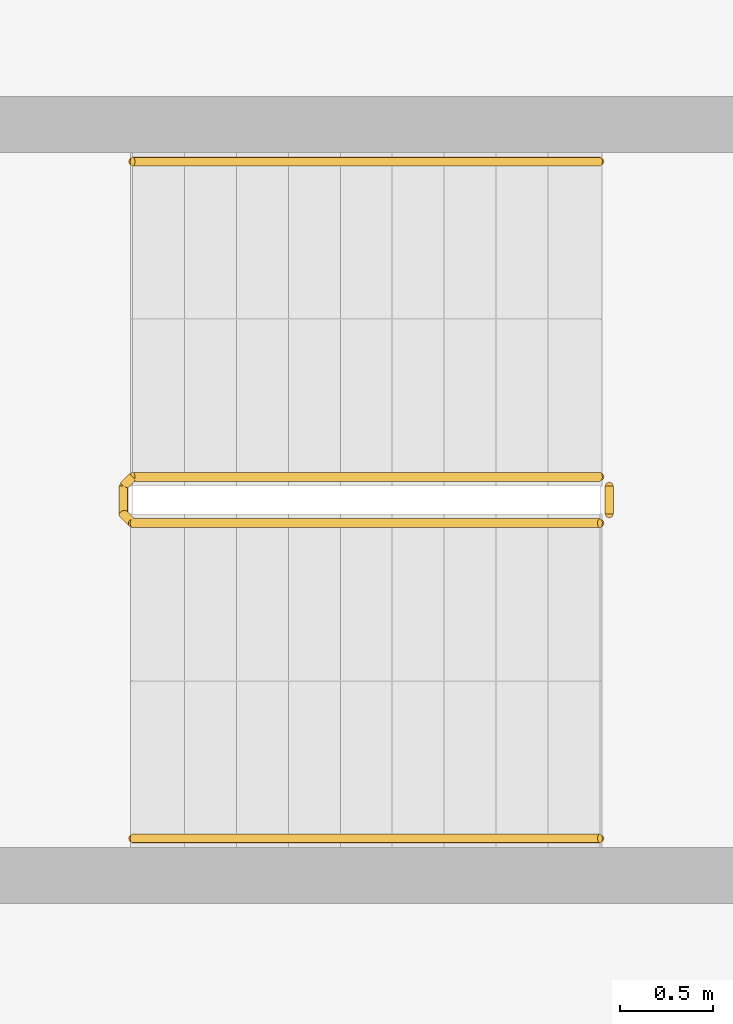
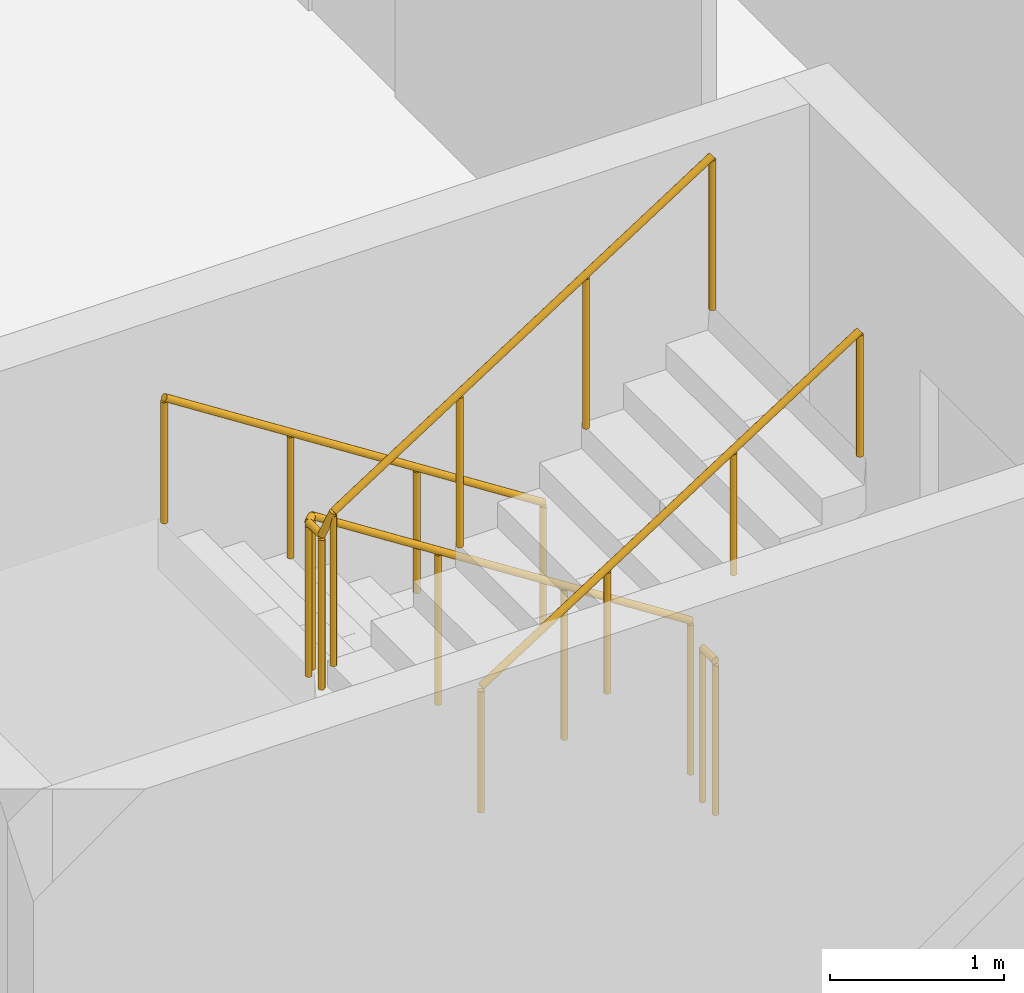
# One storey, part 24 of 27: 4 railings.
"""IFC4 building model written with IfcOpenShell, lengths in metres."""

from ifc_helpers import new_model, si_unit, direction, frame, origin, origin_2d, place, context, subcontext, project, spatial, circle, extrude, material, type_object, element, save


model = new_model("IFC4")

# Units and contexts
model_context = context("Model", 3, precision=1e-05, world=origin(), true_north=direction((0.0, 1.0)))
body_context = subcontext(model_context, "Body", "Model", "MODEL_VIEW")
ifc_project = project(units=[si_unit("LENGTHUNIT", "METRE"), si_unit("AREAUNIT", "SQUARE_METRE"), si_unit("VOLUMEUNIT", "CUBIC_METRE"), si_unit("PLANEANGLEUNIT", "RADIAN"), si_unit("MASSUNIT", "GRAM", prefix="KILO")], contexts=[model_context])

# Site, building, storey
site_placement = place(None, origin())
site = spatial("IfcSite", under=ifc_project, at=site_placement, CompositionType="ELEMENT")
building_placement = place(site_placement, origin())
building = spatial("IfcBuilding", under=site, at=building_placement, Name="Wharfspan Tower", CompositionType="ELEMENT")
storey_placement = place(building_placement, frame((0.0, 0.0, 55.899902)))
storey = spatial("IfcBuildingStorey", under=building, at=storey_placement, Name="L10", CompositionType="ELEMENT", Elevation=55.899902)

# Railings
ifc_material = material(Name="Steel S355J2", Category="steel")
railing_type_1 = type_object("IfcRailingType", Name="Stair guard 1100", PredefinedType="GUARDRAIL", material=ifc_material)
railing_1_placement = place(storey_placement, frame((6.899902, 22.625, 0.180176)))
element("IfcRailing", 1, at=railing_1_placement, inside=storey, type_object=railing_type_1, Name="L10 ST3 stair guard 1", PredefinedType="GUARDRAIL", context=body_context, shape_type="SweptSolid", body=[
    extrude(circle(Radius=0.023926, at=origin_2d()), frame((0.0, 0.0, 1.076172), z_axis=(-0.8412, 0.0, 0.540725), x_axis=(0.0, -1.0, 0.0)), (0.0, 0.0, 1.0), 2.99585),
    extrude(circle(Radius=0.023926, at=origin_2d()), frame((-2.52002, 0.0, 2.695801), z_axis=(-0.705376, -0.708834, 0.0), x_axis=(0.708834, -0.705376, 0.0)), (0.0, 0.0, 1.0), 0.070557),
    extrude(circle(Radius=0.023926, at=origin_2d()), frame((-2.569824, -0.050049, 2.695801), z_axis=(0.0, -1.0, 0.0), x_axis=(1.0, 0.0, 0.0)), (0.0, 0.0, 1.0), 0.149902),
    extrude(circle(Radius=0.023926, at=origin_2d()), frame((-2.569824, -0.199951, 2.695801), z_axis=(0.257669, -0.258932, 0.930892), x_axis=(0.708833, 0.705372, -1e-06)), (0.0, 0.0, 1.0), 0.193359),
    extrude(circle(Radius=0.023926, at=origin_2d()), frame((-2.52002, -0.25, 2.875977), z_axis=(0.841163, 0.0, 0.540782), x_axis=(0.0, 1.0, 0.0)), (0.0, 0.0, 1.0), 2.99585),
    extrude(circle(Radius=0.020996, at=origin_2d()), origin(), (0.0, 0.0, 1.0), 1.052002),
    extrude(circle(Radius=0.020996, at=origin_2d()), frame((-0.840088, 0.0, 0.540039)), (0.0, 0.0, 1.0), 1.052002),
    extrude(circle(Radius=0.020996, at=origin_2d()), frame((-1.679932, 0.0, 1.079834)), (0.0, 0.0, 1.0), 1.052002),
    extrude(circle(Radius=0.020996, at=origin_2d()), frame((-2.52002, 0.0, 1.619873)), (0.0, 0.0, 1.0), 1.052002),
    extrude(circle(Radius=0.020996, at=origin_2d()), frame((-2.569824, -0.050049, 1.619873)), (0.0, 0.0, 1.0), 1.052002),
    extrude(circle(Radius=0.020996, at=origin_2d()), frame((-2.569824, -0.199951, 1.619873)), (0.0, 0.0, 1.0), 1.052002),
    extrude(circle(Radius=0.020996, at=origin_2d()), frame((-2.52002, -0.25, 1.799805)), (0.0, 0.0, 1.0), 1.052002),
    extrude(circle(Radius=0.020996, at=origin_2d()), frame((-1.679932, -0.25, 2.339844)), (0.0, 0.0, 1.0), 1.052002),
    extrude(circle(Radius=0.020996, at=origin_2d()), frame((-0.840088, -0.25, 2.879883)), (0.0, 0.0, 1.0), 1.052002),
    extrude(circle(Radius=0.020996, at=origin_2d()), frame((0.0, -0.25, 3.419922)), (0.0, 0.0, 1.0), 1.052002),
])
railing_2_placement = place(storey_placement, frame((6.949951, 22.574951, 0.0)))
element("IfcRailing", 2, at=railing_2_placement, inside=storey, type_object=railing_type_1, Name="L10 ST3 stair guard 2", PredefinedType="GUARDRAIL", context=body_context, shape_type="SweptSolid", body=[
    extrude(circle(Radius=0.023926, at=origin_2d()), frame((0.0, 0.0, 1.076172), z_axis=(0.0, -1.0, 0.0), x_axis=(1.0, 0.0, 0.0)), (0.0, 0.0, 1.0), 0.149902),
    extrude(circle(Radius=0.020996, at=origin_2d()), origin(), (0.0, 0.0, 1.0), 1.052002),
    extrude(circle(Radius=0.020996, at=origin_2d()), frame((0.0, -0.149902, 0.0)), (0.0, 0.0, 1.0), 1.052002),
])
railing_type_2 = type_object("IfcRailingType", Name="Stair handrail 900", PredefinedType="HANDRAIL", material=ifc_material)
railing_3_placement = place(storey_placement, frame((6.899902, 24.324951, 0.180176)))
element("IfcRailing", 3, at=railing_3_placement, inside=storey, type_object=railing_type_2, Name="L10 ST3 stair handrail 1", PredefinedType="HANDRAIL", context=body_context, shape_type="SweptSolid", body=[
    extrude(circle(Radius=0.023926, at=origin_2d()), frame((0.0, 0.0, 0.875977), z_axis=(-0.8412, 0.0, 0.540725), x_axis=(0.0, -1.0, 0.0)), (0.0, 0.0, 1.0), 2.99585),
    extrude(circle(Radius=0.020996, at=origin_2d()), origin(), (0.0, 0.0, 1.0), 0.851807),
    extrude(circle(Radius=0.020996, at=origin_2d()), frame((-0.840088, 0.0, 0.540039)), (0.0, 0.0, 1.0), 0.851807),
    extrude(circle(Radius=0.020996, at=origin_2d()), frame((-1.679932, 0.0, 1.079834)), (0.0, 0.0, 1.0), 0.851807),
    extrude(circle(Radius=0.020996, at=origin_2d()), frame((-2.52002, 0.0, 1.619873)), (0.0, 0.0, 1.0), 0.851807),
])
railing_4_placement = place(storey_placement, frame((4.379883, 20.675049, 1.97998)))
element("IfcRailing", 4, at=railing_4_placement, inside=storey, type_object=railing_type_2, Name="L10 ST3 stair handrail 2", PredefinedType="HANDRAIL", context=body_context, shape_type="SweptSolid", body=[
    extrude(circle(Radius=0.023926, at=origin_2d()), frame((0.0, 0.0, 0.875977), z_axis=(0.841163, 0.0, 0.540782), x_axis=(0.0, 1.0, 0.0)), (0.0, 0.0, 1.0), 2.99585),
    extrude(circle(Radius=0.020996, at=origin_2d()), origin(), (0.0, 0.0, 1.0), 0.851807),
    extrude(circle(Radius=0.020996, at=origin_2d()), frame((0.840088, 0.0, 0.540039)), (0.0, 0.0, 1.0), 0.851807),
    extrude(circle(Radius=0.020996, at=origin_2d()), frame((1.679932, 0.0, 1.080078)), (0.0, 0.0, 1.0), 0.851807),
    extrude(circle(Radius=0.020996, at=origin_2d()), frame((2.52002, 0.0, 1.620117)), (0.0, 0.0, 1.0), 0.851807),
])

save(model, "model.ifc")
